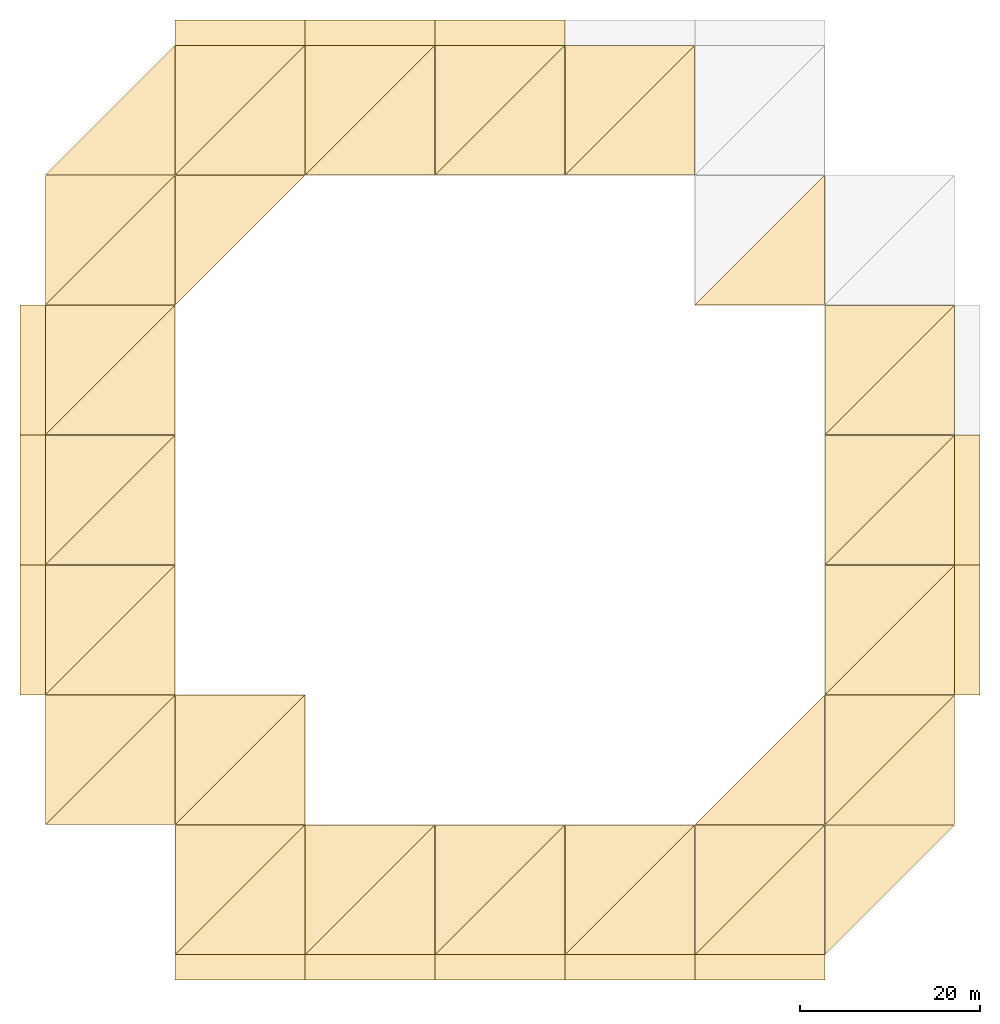
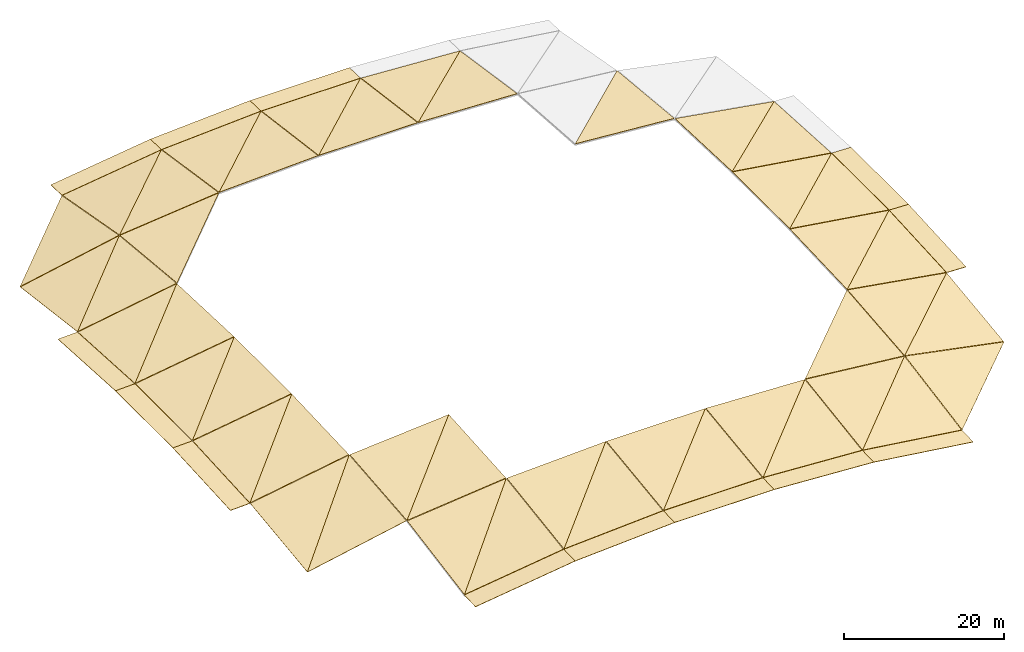
# One storey, part 2 of 3: 56 coverings.
"""IFC4 building model written with IfcOpenShell, lengths in metres."""

from ifc_helpers import new_model, si_unit, direction, frame, origin, place, context, subcontext, project, spatial, polyline, outline, extrude, material, layer, layer_set, type_object, element, save


model = new_model("IFC4")

# Units and contexts
model_context = context("Model", 3, precision=1e-05, world=origin(), true_north=direction((0.0, 1.0)))
body_context = subcontext(model_context, "Body", "Model", "MODEL_VIEW")
ifc_project = project(units=[si_unit("LENGTHUNIT", "METRE"), si_unit("AREAUNIT", "SQUARE_METRE"), si_unit("VOLUMEUNIT", "CUBIC_METRE"), si_unit("PLANEANGLEUNIT", "RADIAN"), si_unit("MASSUNIT", "GRAM", prefix="KILO")], contexts=[model_context])

# Site, building, storey
site_placement = place(None, origin())
site = spatial("IfcSite", under=ifc_project, at=site_placement, CompositionType="ELEMENT")
building_placement = place(site_placement, origin())
building = spatial("IfcBuilding", under=site, at=building_placement, Name="Qandorah Velis Arena", CompositionType="ELEMENT")
storey_placement = place(building_placement, frame((0.0, 0.0, 32.199951171875)))
storey = spatial("IfcBuildingStorey", under=building, at=storey_placement, Name="MAIN ROOF", CompositionType="ELEMENT", Elevation=32.199951171875)

# Coverings
ifc_material = material(Name="Insulated high-albedo standing-seam aluminium roofing", Category="aluminium")
ifc_layer = layer(ifc_material, 0.080078125)
ifc_layer_set = layer_set([ifc_layer], Name="Insulated high-albedo standing-seam aluminium roofing")
covering_type = type_object("IfcCoveringType", Name="ARC-COV-ROOF", PredefinedType="ROOFING", material=ifc_layer_set)
covering_1_placement = place(storey_placement, frame((28.800048828125, 115.199951171875, 0.701904296875), z_axis=(-0.133924374427, 0.035317644538, 0.990362017607), x_axis=(0.990980253134, 0.0, 0.134007976993)))
element("IfcCovering", 1, at=covering_1_placement, inside=storey, type_object=covering_type, Name="Overhanging arena eave roof panel N-2", PredefinedType="ROOFING", context=body_context, shape_type="SweptSolid", body=[
    extrude(outline(polyline([(0.0, 0.0), (14.530967996793724, 0.0), (14.517586829169181, 2.801796764367441), (-0.013381167624542743, 2.8017967643674413), (0.0, 0.0)])), origin(), (0.0, 0.0, -1.0), 0.06005859375),
])
covering_2_placement = place(storey_placement, frame((28.800048828125, 11.60009765625, 0.60205078125), z_axis=(-0.13392435986, -0.035320720365, 0.990361909884), x_axis=(0.990980253134, 0.0, 0.134007976993)))
element("IfcCovering", 2, at=covering_2_placement, inside=storey, type_object=covering_type, Name="Overhanging arena eave roof panel S-2", PredefinedType="ROOFING", context=body_context, shape_type="SweptSolid", body=[
    extrude(outline(polyline([(0.0, 0.0), (14.530967996793724, 1.3877787807814457e-17), (14.544349164418266, 2.801552776065918), (0.013381167624542743, 2.801552776065918), (0.0, 0.0)])), origin(), (0.0, 0.0, -1.0), 0.06005859375),
])
covering_3_placement = place(storey_placement, frame((11.60009765625, 43.199951171875, 2.198486328125), z_axis=(-0.035583906756, -0.05697223129, 0.99774142464), x_axis=(0.999364629289, 0.0, 0.035641797469)))
element("IfcCovering", 3, at=covering_3_placement, inside=storey, type_object=covering_type, Name="Overhanging arena eave roof panel W-3", PredefinedType="ROOFING", context=body_context, shape_type="SweptSolid", body=[
    extrude(outline(polyline([(0.0, 0.0), (2.801584732384449, 0.0), (2.8308917572567456, 14.423573781411022), (0.029307024872296753, 14.423573781411022), (0.0, 0.0)])), origin(), (0.0, 0.0, -1.0), 0.06005859375),
])
covering_4_placement = place(storey_placement, frame((43.199951171875, 115.199951171875, 2.649169921875), z_axis=(-0.059340606251, 0.035619326985, 0.997602103043), x_axis=(0.998235552308, -3.0069e-07, 0.059378296603)))
element("IfcCovering", 4, at=covering_4_placement, inside=storey, type_object=covering_type, Name="Overhanging arena eave roof panel N-3", PredefinedType="ROOFING", context=body_context, shape_type="SweptSolid", body=[
    extrude(outline(polyline([(0.0, 0.0), (14.425606939596113, 0.0), (14.419662469327292, 2.801831120734147), (-0.005929973614376666, 2.8018224399576086), (0.0, 0.0)])), origin(), (0.0, 0.0, -1.0), 0.06005859375),
])
covering_5_placement = place(storey_placement, frame((43.199951171875, 11.60009765625, 2.54931640625), z_axis=(-0.059340599686, -0.03562242902, 0.99760199267), x_axis=(0.998235553581, -3.00716e-07, 0.059378275204)))
element("IfcCovering", 5, at=covering_5_placement, inside=storey, type_object=covering_type, Name="Overhanging arena eave roof panel S-3", PredefinedType="ROOFING", context=body_context, shape_type="SweptSolid", body=[
    extrude(outline(polyline([(0.0, 0.0), (14.42559244294428, 6.938893903907228e-18), (14.431535227176981, 2.8015871390016587), (0.005928287583483228, 2.8015784574604), (0.0, 0.0)])), origin(), (0.0, 0.0, -1.0), 0.06005859375),
])
covering_6_placement = place(storey_placement, frame((115.199951171875, 43.199951171875, 2.29833984375), z_axis=(0.035580808068, -0.05697223758, 0.997741534789), x_axis=(0.999364739976, 0.0, -0.035638693753)))
element("IfcCovering", 6, at=covering_6_placement, inside=storey, type_object=covering_type, Name="Overhanging arena eave roof panel E-3", PredefinedType="ROOFING", context=body_context, shape_type="SweptSolid", body=[
    extrude(outline(polyline([(0.0, 0.0), (2.8018287179031587, 0.0), (2.772524245110373, 14.423573786596323), (-0.02930447279278539, 14.423573786596323), (0.0, 0.0)])), origin(), (0.0, 0.0, -1.0), 0.06005859375),
])
covering_7_placement = place(storey_placement, frame((11.60009765625, 57.60009765625, 3.020751953125), z_axis=(-0.035641797469, 0.0, 0.999364629289), x_axis=(0.999364629289, 0.0, 0.035641797469)))
element("IfcCovering", 7, at=covering_7_placement, inside=storey, type_object=covering_type, Name="Overhanging arena eave roof panel W-4", PredefinedType="ROOFING", context=body_context, shape_type="SweptSolid", body=[
    extrude(outline(polyline([(0.0, 0.0), (2.801584732384449, 0.0), (2.801584732384449, 14.399902343749998), (0.0, 14.399902343749998), (0.0, 0.0)])), origin(), (0.0, 0.0, -1.0), 0.06005859375),
])
covering_8_placement = place(storey_placement, frame((57.60009765625, 115.199951171875, 3.505859375), z_axis=(0.0, 0.035725718844, 0.99936163275), x_axis=(1.0, 0.0, 0.0)))
element("IfcCovering", 8, at=covering_8_placement, inside=storey, type_object=covering_type, Name="Overhanging arena eave roof panel N-4", PredefinedType="ROOFING", context=body_context, shape_type="SweptSolid", body=[
    extrude(outline(polyline([(0.0, 0.0), (14.39990234375, 0.0), (14.39990234375, 2.8018374293793222), (0.0, 2.8018374293793222), (0.0, 0.0)])), origin(), (0.0, 0.0, -1.0), 0.06005859375),
])
covering_9_placement = place(storey_placement, frame((57.60009765625, 11.60009765625, 3.40576171875), z_axis=(0.0, -0.035728830121, 0.999361521522), x_axis=(1.0, 0.0, 0.0)))
element("IfcCovering", 9, at=covering_9_placement, inside=storey, type_object=covering_type, Name="Overhanging arena eave roof panel S-4", PredefinedType="ROOFING", context=body_context, shape_type="SweptSolid", body=[
    extrude(outline(polyline([(0.0, 0.0), (14.39990234375, 0.0), (14.39990234375, 2.801593444619279), (0.0, 2.801593444619279), (0.0, 0.0)])), origin(), (0.0, 0.0, -1.0), 0.06005859375),
])
covering_10_placement = place(storey_placement, frame((115.199951171875, 57.60009765625, 3.12060546875), z_axis=(0.035638693753, 0.0, 0.999364739976), x_axis=(0.999364739976, 0.0, -0.035638693753)))
element("IfcCovering", 10, at=covering_10_placement, inside=storey, type_object=covering_type, Name="Overhanging arena eave roof panel E-4", PredefinedType="ROOFING", context=body_context, shape_type="SweptSolid", body=[
    extrude(outline(polyline([(0.0, 0.0), (2.8018287179031587, 0.0), (2.8018287179031587, 14.39990234375), (0.0, 14.39990234375), (0.0, 0.0)])), origin(), (0.0, 0.0, -1.0), 0.06005859375),
])
covering_11_placement = place(storey_placement, frame((11.60009765625, 72.0, 3.020751953125), z_axis=(-0.035583904798, 0.056973194081, 0.997741369732), x_axis=(0.999364629289, 0.0, 0.035641797469)))
element("IfcCovering", 11, at=covering_11_placement, inside=storey, type_object=covering_type, Name="Overhanging arena eave roof panel W-5", PredefinedType="ROOFING", context=body_context, shape_type="SweptSolid", body=[
    extrude(outline(polyline([(0.0, 0.0), (2.801584732384449, -8.673617379884035e-19), (2.7722777075121523, 14.423330037334875), (-0.029307024872296753, 14.423330037334875), (0.0, 0.0)])), origin(), (0.0, 0.0, -1.0), 0.06005859375),
])
covering_12_placement = place(storey_placement, frame((72.0, 11.60009765625, 3.40576171875), z_axis=(0.059341602223, -0.035622426893, 0.997601933112), x_axis=(0.998235493909, 3.00722e-07, -0.059379278373)))
element("IfcCovering", 12, at=covering_12_placement, inside=storey, type_object=covering_type, Name="Overhanging arena eave roof panel S-5", PredefinedType="ROOFING", context=body_context, shape_type="SweptSolid", body=[
    extrude(outline(polyline([(0.0, 0.0), (14.425348732977314, -6.938893903907228e-18), (14.419420345238, 2.8015784572484628), (-0.005942884633447189, 2.8015871387886846), (0.0, 0.0)])), origin(), (0.0, 0.0, -1.0), 0.06005859375),
])
covering_13_placement = place(storey_placement, frame((86.39990234375, 11.60009765625, 2.54931640625), z_axis=(0.133922130024, -0.035320731105, 0.990362211034), x_axis=(0.990980554849, 0.0, -0.134005745816)))
element("IfcCovering", 13, at=covering_13_placement, inside=storey, type_object=covering_type, Name="Overhanging arena eave roof panel S-6", PredefinedType="ROOFING", context=body_context, shape_type="SweptSolid", body=[
    extrude(outline(polyline([(0.0, 0.0), (14.531209935368917, 0.0), (14.517828990535225, 2.8015527771300337), (-0.013380944833691608, 2.8015527771300333), (0.0, 0.0)])), origin(), (0.0, 0.0, -1.0), 0.06005859375),
])
covering_14_placement = place(storey_placement, frame((14.43994140625, 28.840087890625, 0.475341796875), z_axis=(-0.193637762675, -0.094481389251, 0.97651302293), x_axis=(0.980900957795, 0.0, 0.194507868726)))
element("IfcCovering", 14, at=covering_14_placement, inside=storey, type_object=covering_type, Name="Arena vaulted roof covering 0.1A", PredefinedType="ROOFING", context=body_context, shape_type="SweptSolid", body=[
    extrude(outline(polyline([(0.0, 0.0), (14.598893237459329, 0.0), (14.868383509680866, 14.384169961696486), (0.0, 0.0)])), origin(), (0.0, 0.0, -1.0), 0.054931640625),
])
covering_15_placement = place(storey_placement, frame((14.43994140625, 28.840087890625, 0.475341796875), z_axis=(-0.163762366861, -0.124959356145, 0.978553548107), x_axis=(0.692208324, 0.692196522648, 0.204234204333)))
element("IfcCovering", 15, at=covering_15_placement, inside=storey, type_object=covering_type, Name="Arena vaulted roof covering 0.1B", PredefinedType="ROOFING", context=body_context, shape_type="SweptSolid", body=[
    extrude(outline(polyline([(0.0, 0.0), (20.68751250580701, -4.0245584642661925e-16), (10.285597907673411, 10.129544307120991), (0.0, 0.0)])), origin(), (0.0, 0.0, -1.0), 0.054931640625),
])
covering_16_placement = place(storey_placement, frame((14.43994140625, 43.239990234375, 2.31103515625), z_axis=(-0.164796950754, -0.03943499627, 0.985538860772), x_axis=(0.986306070785, 0.0, 0.16492523983)))
element("IfcCovering", 16, at=covering_16_placement, inside=storey, type_object=covering_type, Name="Arena vaulted roof covering 0.2A", PredefinedType="ROOFING", context=body_context, shape_type="SweptSolid", body=[
    extrude(outline(polyline([(0.0, 0.0), (14.518888997592056, -1.3877787807814457e-17), (14.613390837895311, 14.33121606776881), (0.0, 0.0)])), origin(), (0.0, 0.0, -1.0), 0.054931640625),
])
covering_17_placement = place(storey_placement, frame((14.43994140625, 43.239990234375, 2.31103515625), z_axis=(-0.148281945843, -0.056323236553, 0.987339940224), x_axis=(0.699635433874, 0.699635433874, 0.14498454861)))
element("IfcCovering", 17, at=covering_17_placement, inside=storey, type_object=covering_type, Name="Arena vaulted roof covering 0.2B", PredefinedType="ROOFING", context=body_context, shape_type="SweptSolid", body=[
    extrude(outline(polyline([(0.0, 0.0), (20.467900375030105, 5.273559366969494e-16), (10.137264324592904, 10.147292570222621), (0.0, 0.0)])), origin(), (0.0, 0.0, -1.0), 0.054931640625),
])
covering_18_placement = place(storey_placement, frame((14.43994140625, 57.639892578125, 3.130126953125), z_axis=(-0.148468240632, 0.0, 0.988917176271), x_axis=(0.988917176271, 0.0, 0.148468240632)))
element("IfcCovering", 18, at=covering_18_placement, inside=storey, type_object=covering_type, Name="Arena vaulted roof covering 0.3A", PredefinedType="ROOFING", context=body_context, shape_type="SweptSolid", body=[
    extrude(outline(polyline([(0.0, 0.0), (14.480553784466766, 0.0), (14.480553784466766, 14.320068359375), (0.0, 0.0)])), origin(), (0.0, 0.0, -1.0), 0.054931640625),
])
covering_19_placement = place(storey_placement, frame((14.43994140625, 57.639892578125, 3.130126953125), z_axis=(-0.148468240632, 0.0, 0.988917176271), x_axis=(0.703155660432, 0.703155660432, 0.105566256001)))
element("IfcCovering", 19, at=covering_19_placement, inside=storey, type_object=covering_type, Name="Arena vaulted roof covering 0.3B", PredefinedType="ROOFING", context=body_context, shape_type="SweptSolid", body=[
    extrude(outline(polyline([(0.0, 0.0), (20.365431390520744, -9.43689570931383e-16), (10.069237124661246, 10.182083359731283), (0.0, 0.0)])), origin(), (0.0, 0.0, -1.0), 0.054931640625),
])
covering_20_placement = place(storey_placement, frame((14.43994140625, 72.0400390625, 3.1279296875), z_axis=(-0.148401568535, 0.039538935333, 0.988136451635), x_axis=(0.988909748839, 0.0, 0.148517704842)))
element("IfcCovering", 20, at=covering_20_placement, inside=storey, type_object=covering_type, Name="Arena vaulted roof covering 0.4A", PredefinedType="ROOFING", context=body_context, shape_type="SweptSolid", body=[
    extrude(outline(polyline([(0.0, 0.0), (14.48066254396835, 0.0), (14.395562189167396, 14.331274978469583), (0.0, 0.0)])), origin(), (0.0, 0.0, -1.0), 0.054931640625),
])
covering_21_placement = place(storey_placement, frame((14.43994140625, 72.0400390625, 3.1279296875), z_axis=(-0.164664808814, 0.056175412958, 0.984748609401), x_axis=(0.70497089738, 0.70497089738, 0.07766638716)))
element("IfcCovering", 21, at=covering_21_placement, inside=storey, type_object=covering_type, Name="Arena vaulted roof covering 0.4B", PredefinedType="ROOFING", context=body_context, shape_type="SweptSolid", body=[
    extrude(outline(polyline([(0.0, 0.0), (20.312992227899226, 3.608224830031759e-16), (10.031786194918537, 10.251582328197005), (0.0, 0.0)])), origin(), (0.0, 0.0, -1.0), 0.054931640625),
])
covering_22_placement = place(storey_placement, frame((14.43994140625, 86.43994140625, 2.303955078125), z_axis=(-0.164309695922, 0.094993635326, 0.981824084586), x_axis=(0.986284180162, 0.0, 0.165056099437)))
element("IfcCovering", 22, at=covering_22_placement, inside=storey, type_object=covering_type, Name="Arena vaulted roof covering 0.5A", PredefinedType="ROOFING", context=body_context, shape_type="SweptSolid", body=[
    extrude(outline(polyline([(0.0, 0.0), (14.5192112449951, 0.0), (14.2905263416004, 14.385119598739065), (0.0, 0.0)])), origin(), (0.0, 0.0, -1.0), 0.054931640625),
])
covering_23_placement = place(storey_placement, frame((14.43994140625, 86.43994140625, 2.303955078125), z_axis=(-0.192999744545, 0.12428579543, 0.973295504798), x_axis=(0.706227324245, 0.706227324245, 0.049859131356)))
element("IfcCovering", 23, at=covering_23_placement, inside=storey, type_object=covering_type, Name="Arena vaulted roof covering 0.5B", PredefinedType="ROOFING", context=body_context, shape_type="SweptSolid", body=[
    extrude(outline(polyline([(0.0, 0.0), (20.276854021026082, 1.1102230246251565e-16), (10.022050490656833, 10.390702012485105), (0.0, 0.0)])), origin(), (0.0, 0.0, -1.0), 0.054931640625),
])
covering_24_placement = place(storey_placement, frame((14.43994140625, 100.840087890625, 0.4619140625), z_axis=(-0.191684093606, 0.175355328436, 0.965664391519), x_axis=(0.980862652198, 0.0, 0.194700943816)))
element("IfcCovering", 24, at=covering_24_placement, inside=storey, type_object=covering_type, Name="Arena vaulted roof covering 0.6A", PredefinedType="ROOFING", context=body_context, shape_type="SweptSolid", body=[
    extrude(outline(polyline([(0.0, 0.0), (14.599463367561347, 0.0), (14.093174365464932, 14.545199021080128), (0.0, 0.0)])), origin(), (0.0, 0.0, -1.0), 0.054931640625),
])
covering_25_placement = place(storey_placement, frame((28.840087890625, 14.43994140625, 0.71875), z_axis=(-0.132441226039, -0.14709499015, 0.980215479126), x_axis=(0.990995157258, 0.0, 0.133897715778)))
element("IfcCovering", 25, at=covering_25_placement, inside=storey, type_object=covering_type, Name="Arena vaulted roof covering 1.0A", PredefinedType="ROOFING", context=body_context, shape_type="SweptSolid", body=[
    extrude(outline(polyline([(0.0, 0.0), (14.449943689299293, 0.0), (14.737679942786176, 14.477549781607495), (0.0, 0.0)])), origin(), (0.0, 0.0, -1.0), 0.054931640625),
])
covering_26_placement = place(storey_placement, frame((28.840087890625, 14.43994140625, 0.71875), z_axis=(-0.101617064391, -0.17753061277, 0.978854868586), x_axis=(0.693148303133, 0.693160120712, 0.197672650911)))
element("IfcCovering", 26, at=covering_26_placement, inside=storey, type_object=covering_type, Name="Arena vaulted roof covering 1.0B", PredefinedType="ROOFING", context=body_context, shape_type="SweptSolid", body=[
    extrude(outline(polyline([(0.0, 0.0), (20.659105928740605, 1.2490009027033011e-15), (10.439489389836087, 10.140350119920601), (0.0, 0.0)])), origin(), (0.0, 0.0, -1.0), 0.054931640625),
])
covering_27_placement = place(storey_placement, frame((28.840087890625, 28.840087890625, 3.32666015625), z_axis=(-0.102846360474, -0.070960605623, 0.992162899219), x_axis=(0.994670344988, 0.0, 0.103106279155)))
element("IfcCovering", 27, at=covering_27_placement, inside=storey, type_object=covering_type, Name="Arena vaulted roof covering 1.1A", PredefinedType="ROOFING", context=body_context, shape_type="SweptSolid", body=[
    extrude(outline(polyline([(0.0, 0.0), (14.396552878954187, -1.3877787807814457e-17), (14.502151228820676, 14.356014024557025), (0.0, 0.0)])), origin(), (0.0, 0.0, -1.0), 0.054931640625),
])
covering_28_placement = place(storey_placement, frame((28.840087890625, 28.840087890625, 3.32666015625), z_axis=(-0.077994161926, -0.09584315126, 0.992336133103), x_axis=(0.701743502647, 0.701743502647, 0.122931334431)))
element("IfcCovering", 28, at=covering_28_placement, inside=storey, type_object=covering_type, Name="Arena vaulted roof covering 1.1B", PredefinedType="ROOFING", context=body_context, shape_type="SweptSolid", body=[
    extrude(outline(polyline([(0.0, 0.0), (20.406065983840758, 1.214306433183765e-15), (10.218864602982931, 10.126451380072808), (0.0, 0.0)])), origin(), (0.0, 0.0, -1.0), 0.054931640625),
])
covering_29_placement = place(storey_placement, frame((28.840087890625, 86.43994140625, 4.709716796875), z_axis=(-0.102633770445, 0.095626710037, 0.990112034818), x_axis=(0.707091904178, 0.707103959484, 0.005002951891)))
element("IfcCovering", 29, at=covering_29_placement, inside=storey, type_object=covering_type, Name="Arena vaulted roof covering 1.5B", PredefinedType="ROOFING", context=body_context, shape_type="SweptSolid", body=[
    extrude(outline(polyline([(0.0, 0.0), (20.251715702207026, -3.0184188481996443e-16), (10.118857671159665, 10.226725913955214), (0.0, 0.0)])), origin(), (0.0, 0.0, -1.0), 0.054931640625),
])
covering_30_placement = place(storey_placement, frame((28.840087890625, 100.840087890625, 3.31591796875), z_axis=(-0.10212587049, 0.147628824447, 0.983756086014), x_axis=(0.994654681107, 0.0, 0.103257277479)))
element("IfcCovering", 30, at=covering_30_placement, inside=storey, type_object=covering_type, Name="Arena vaulted roof covering 1.6A", PredefinedType="ROOFING", context=body_context, shape_type="SweptSolid", body=[
    extrude(outline(polyline([(0.0, 0.0), (14.396779596730115, -2.7755575615628914e-17), (14.174887371053591, 14.478467167121122), (0.0, 0.0)])), origin(), (0.0, 0.0, -1.0), 0.054931640625),
])
covering_31_placement = place(storey_placement, frame((28.840087890625, 100.840087890625, 3.31591796875), z_axis=(-0.131785971901, 0.176900841525, 0.975365854373), x_axis=(0.706728877555, 0.706728877555, -0.032689252989)))
element("IfcCovering", 31, at=covering_31_placement, inside=storey, type_object=covering_type, Name="Arena vaulted roof covering 1.6B", PredefinedType="ROOFING", context=body_context, shape_type="SweptSolid", body=[
    extrude(outline(polyline([(0.0, 0.0), (20.262118435431645, 4.440892098500626e-16), (10.205132777680571, 10.375833079984936), (0.0, 0.0)])), origin(), (0.0, 0.0, -1.0), 0.054931640625),
])
covering_32_placement = place(storey_placement, frame((43.239990234375, 14.43994140625, 2.6611328125), z_axis=(-0.058798765854, -0.131095096322, 0.989624565608), x_axis=(0.998239575121, 0.0, 0.059310628579)))
element("IfcCovering", 32, at=covering_32_placement, inside=storey, type_object=covering_type, Name="Arena vaulted roof covering 2.0A", PredefinedType="ROOFING", context=body_context, shape_type="SweptSolid", body=[
    extrude(outline(polyline([(0.0, 0.0), (14.34532222151232, 0.0), (14.457832862151527, 14.444729295887694), (0.0, 0.0)])), origin(), (0.0, 0.0, -1.0), 0.054931640625),
])
covering_33_placement = place(storey_placement, frame((43.239990234375, 14.43994140625, 2.6611328125), z_axis=(-0.041457774904, -0.148142898214, 0.988096622102), x_axis=(0.700686419975, 0.700686419975, 0.134451038391)))
element("IfcCovering", 33, at=covering_33_placement, inside=storey, type_object=covering_type, Name="Arena vaulted roof covering 2.0B", PredefinedType="ROOFING", context=body_context, shape_type="SweptSolid", body=[
    extrude(outline(polyline([(0.0, 0.0), (20.437199795994186, 1.1934897514720433e-15), (10.322540135561788, 10.154753298508748), (0.0, 0.0)])), origin(), (0.0, 0.0, -1.0), 0.054931640625),
])
covering_34_placement = place(storey_placement, frame((43.239990234375, 100.840087890625, 4.80810546875), z_axis=(-0.041557901239, 0.131211051555, 0.990483013885), x_axis=(0.999120956809, 0.0, 0.041920325202)))
element("IfcCovering", 34, at=covering_34_placement, inside=storey, type_object=covering_type, Name="Arena vaulted roof covering 2.6A", PredefinedType="ROOFING", context=body_context, shape_type="SweptSolid", body=[
    extrude(outline(polyline([(0.0, 0.0), (14.332667393055374, -1.3877787807814457e-17), (14.253145682406599, 14.444706546413284), (0.0, 0.0)])), origin(), (0.0, 0.0, -1.0), 0.054931640625),
])
covering_35_placement = place(storey_placement, frame((43.239990234375, 100.840087890625, 4.80810546875), z_axis=(-0.058657306293, 0.14801754549, 0.98724370175), x_axis=(0.705668966677, 0.705656935837, -0.063871733767)))
element("IfcCovering", 35, at=covering_35_placement, inside=storey, type_object=covering_type, Name="Arena vaulted roof covering 2.6B", PredefinedType="ROOFING", context=body_context, shape_type="SweptSolid", body=[
    extrude(outline(polyline([(0.0, 0.0), (20.29289799550327, 1.7208456881689926e-15), (10.242014145825323, 10.235624234959893), (0.0, 0.0)])), origin(), (0.0, 0.0, -1.0), 0.054931640625),
])
covering_36_placement = place(storey_placement, frame((57.639892578125, 14.43994140625, 3.51416015625), z_axis=(0.0, -0.131289083159, 0.991344126246), x_axis=(1.0, 0.0, 0.0)))
element("IfcCovering", 36, at=covering_36_placement, inside=storey, type_object=covering_type, Name="Arena vaulted roof covering 3.0A", PredefinedType="ROOFING", context=body_context, shape_type="SweptSolid", body=[
    extrude(outline(polyline([(0.0, 0.0), (14.320068359375, 0.0), (14.320068359375, 14.445103350332671), (0.0, 0.0)])), origin(), (0.0, 0.0, -1.0), 0.054931640625),
])
covering_37_placement = place(storey_placement, frame((57.639892578125, 14.43994140625, 3.51416015625), z_axis=(0.0, -0.131289083159, 0.991344126246), x_axis=(0.704026514269, 0.704026514269, 0.093238052388)))
element("IfcCovering", 37, at=covering_37_placement, inside=storey, type_object=covering_type, Name="Arena vaulted roof covering 3.0B", PredefinedType="ROOFING", context=body_context, shape_type="SweptSolid", body=[
    extrude(outline(polyline([(0.0, 0.0), (20.340240131792083, 8.604228440844963e-16), (10.258532320651026, 10.169735759986612), (0.0, 0.0)])), origin(), (0.0, 0.0, -1.0), 0.054931640625),
])
covering_38_placement = place(storey_placement, frame((57.639892578125, 100.840087890625, 5.41064453125), z_axis=(0.0, 0.131291282941, 0.991343834915), x_axis=(1.0, 0.0, 0.0)))
element("IfcCovering", 38, at=covering_38_placement, inside=storey, type_object=covering_type, Name="Arena vaulted roof covering 3.6A", PredefinedType="ROOFING", context=body_context, shape_type="SweptSolid", body=[
    extrude(outline(polyline([(0.0, 0.0), (14.320068359375, 0.0), (14.320068359375, 14.44486132299366), (0.0, 0.0)])), origin(), (0.0, 0.0, -1.0), 0.054931640625),
])
covering_39_placement = place(storey_placement, frame((57.639892578125, 100.840087890625, 5.41064453125), z_axis=(0.0, 0.131291282941, 0.991343834915), x_axis=(0.704032463541, 0.7040204606, -0.093238840283)))
element("IfcCovering", 39, at=covering_39_placement, inside=storey, type_object=covering_type, Name="Arena vaulted roof covering 3.6B", PredefinedType="ROOFING", context=body_context, shape_type="SweptSolid", body=[
    extrude(outline(polyline([(0.0, 0.0), (20.34006825105784, 9.43689570931383e-16), (10.258275245938105, 10.169651302728711), (0.0, 0.0)])), origin(), (0.0, 0.0, -1.0), 0.054931640625),
])
covering_40_placement = place(storey_placement, frame((72.0400390625, 14.43994140625, 3.511962890625), z_axis=(0.058657328203, -0.148015077249, 0.987244070509), x_axis=(0.998239575121, 0.0, -0.059310628579)))
element("IfcCovering", 40, at=covering_40_placement, inside=storey, type_object=covering_type, Name="Arena vaulted roof covering 4.0A", PredefinedType="ROOFING", context=body_context, shape_type="SweptSolid", body=[
    extrude(outline(polyline([(0.0, 0.0), (14.34532222151232, 2.7755575615628914e-17), (14.217983923728386, 14.479559190865434), (0.0, 0.0)])), origin(), (0.0, 0.0, -1.0), 0.054931640625),
])
covering_41_placement = place(storey_placement, frame((72.0400390625, 14.43994140625, 3.511962890625), z_axis=(0.041557913437, -0.13120885307, 0.990483304608), x_axis=(0.705662975823, 0.705662975823, 0.063871191521)))
element("IfcCovering", 41, at=covering_41_placement, inside=storey, type_object=covering_type, Name="Arena vaulted roof covering 4.0B", PredefinedType="ROOFING", context=body_context, shape_type="SweptSolid", body=[
    extrude(outline(polyline([(0.0, 0.0), (20.293070275765928, 9.71445146547012e-16), (10.22630395629697, 10.20223360196963), (0.0, 0.0)])), origin(), (0.0, 0.0, -1.0), 0.054931640625),
])
covering_42_placement = place(storey_placement, frame((72.0400390625, 100.840087890625, 5.408935546875), z_axis=(0.041457759392, 0.148145368491, 0.988096252387), x_axis=(0.999120956809, 0.0, -0.041920325202)))
element("IfcCovering", 42, at=covering_42_placement, inside=storey, type_object=covering_type, Name="Arena vaulted roof covering 4.6A", PredefinedType="ROOFING", context=body_context, shape_type="SweptSolid", body=[
    extrude(outline(polyline([(0.0, 0.0), (14.332667393055374, 0.0), (14.42266918500458, 14.479597954364278), (0.0, 0.0)])), origin(), (0.0, 0.0, -1.0), 0.054931640625),
])
covering_43_placement = place(storey_placement, frame((72.0400390625, 100.840087890625, 5.408935546875), z_axis=(0.058798748625, 0.131097292968, 0.98962427564), x_axis=(0.700692284973, 0.700680338978, -0.134452163794)))
element("IfcCovering", 43, at=covering_43_placement, inside=storey, type_object=covering_type, Name="Arena vaulted roof covering 4.6B", PredefinedType="ROOFING", context=body_context, shape_type="SweptSolid", body=[
    extrude(outline(polyline([(0.0, 0.0), (20.437028730715987, 9.43689570931383e-16), (10.288671365997088, 10.13898971480743), (0.0, 0.0)])), origin(), (0.0, 0.0, -1.0), 0.054931640625),
])
covering_44_placement = place(storey_placement, frame((86.43994140625, 14.43994140625, 2.653564453125), z_axis=(0.131783834433, -0.176897972327, 0.975366663552), x_axis=(0.990995460165, 0.0, -0.133895473903)))
element("IfcCovering", 44, at=covering_44_placement, inside=storey, type_object=covering_type, Name="Arena vaulted roof covering 5.0A", PredefinedType="ROOFING", context=body_context, shape_type="SweptSolid", body=[
    extrude(outline(polyline([(0.0, 0.0), (14.450185631513333, 0.0), (14.102436595530566, 14.549526105102087), (0.0, 0.0)])), origin(), (0.0, 0.0, -1.0), 0.054931640625),
])
covering_45_placement = place(storey_placement, frame((86.43994140625, 14.43994140625, 2.653564453125), z_axis=(0.102124185467, -0.147626388648, 0.983756626467), x_axis=(0.70672889043, 0.70672889043, 0.03268869627)))
element("IfcCovering", 45, at=covering_45_placement, inside=storey, type_object=covering_type, Name="Arena vaulted roof covering 5.0B", PredefinedType="ROOFING", context=body_context, shape_type="SweptSolid", body=[
    extrude(outline(polyline([(0.0, 0.0), (20.26246351789453, -4.0245584642661925e-16), (10.190651604670094, 10.287509888341724), (0.0, 0.0)])), origin(), (0.0, 0.0, -1.0), 0.054931640625),
])
covering_46_placement = place(storey_placement, frame((86.43994140625, 28.840087890625, 4.81103515625), z_axis=(0.102632023088, -0.095628342655, 0.990112058263), x_axis=(0.994670525265, 0.0, -0.103104539999)))
element("IfcCovering", 46, at=covering_46_placement, inside=storey, type_object=covering_type, Name="Arena vaulted roof covering 5.1A", PredefinedType="ROOFING", context=body_context, shape_type="SweptSolid", body=[
    extrude(outline(polyline([(0.0, 0.0), (14.396795718415888, 2.7755575615628914e-17), (14.254196299692342, 14.385752560532092), (0.0, 0.0)])), origin(), (0.0, 0.0, -1.0), 0.054931640625),
])
covering_47_placement = place(storey_placement, frame((86.43994140625, 86.43994140625, 5.835205078125), z_axis=(0.077992852518, 0.095841542195, 0.992336391425), x_axis=(0.996925635139, 0.0, -0.078353544932)))
element("IfcCovering", 47, at=covering_47_placement, inside=storey, type_object=covering_type, Name="Arena vaulted roof covering 5.5A", PredefinedType="ROOFING", context=body_context, shape_type="SweptSolid", body=[
    extrude(outline(polyline([(0.0, 0.0), (14.364229241014087, 0.0), (14.47259663164886, 14.386294171780202), (0.0, 0.0)])), origin(), (0.0, 0.0, -1.0), 0.054931640625),
])
covering_48_placement = place(storey_placement, frame((100.840087890625, 14.43994140625, 0.7041015625), z_axis=(0.191687342064, -0.175352320909, 0.965664292829), x_axis=(0.707050194791, 0.707062249385, -0.011958157896)))
element("IfcCovering", 48, at=covering_48_placement, inside=storey, type_object=covering_type, Name="Arena vaulted roof covering 6.0B", PredefinedType="ROOFING", context=body_context, shape_type="SweptSolid", body=[
    extrude(outline(polyline([(0.0, 0.0), (20.25291036513588, 4.85722573273506e-16), (10.094084447742569, 10.485017617514513), (0.0, 0.0)])), origin(), (0.0, 0.0, -1.0), 0.054931640625),
])
covering_49_placement = place(storey_placement, frame((100.840087890625, 28.840087890625, 3.31494140625), z_axis=(0.193002861625, -0.124287802732, 0.973294630365), x_axis=(0.980900325085, 0.0, -0.194511059451)))
element("IfcCovering", 49, at=covering_49_placement, inside=storey, type_object=covering_type, Name="Arena vaulted roof covering 6.1A", PredefinedType="ROOFING", context=body_context, shape_type="SweptSolid", body=[
    extrude(outline(polyline([(0.0, 0.0), (14.598653759763662, 0.0), (14.242968253100925, 14.431724775944593), (0.0, 0.0)])), origin(), (0.0, 0.0, -1.0), 0.054931640625),
])
covering_50_placement = place(storey_placement, frame((100.840087890625, 28.840087890625, 3.31494140625), z_axis=(0.164312396349, -0.094995196545, 0.981823481609), x_axis=(0.706227294313, 0.706227294313, -0.049859979298)))
element("IfcCovering", 50, at=covering_50_placement, inside=storey, type_object=covering_type, Name="Arena vaulted roof covering 6.1B", PredefinedType="ROOFING", context=body_context, shape_type="SweptSolid", body=[
    extrude(outline(polyline([(0.0, 0.0), (20.276509183472726, 9.159339953157541e-16), (10.043969809106194, 10.300273829736607), (0.0, 0.0)])), origin(), (0.0, 0.0, -1.0), 0.054931640625),
])
covering_51_placement = place(storey_placement, frame((100.840087890625, 43.239990234375, 4.70556640625), z_axis=(0.164667540084, -0.056175386989, 0.984748154169), x_axis=(0.986305613389, 0.0, -0.164927975179)))
element("IfcCovering", 51, at=covering_51_placement, inside=storey, type_object=covering_type, Name="Arena vaulted roof covering 6.2A", PredefinedType="ROOFING", context=body_context, shape_type="SweptSolid", body=[
    extrude(outline(polyline([(0.0, 0.0), (14.518648200267325, 0.0), (14.38391943929382, 14.342716711046263), (0.0, 0.0)])), origin(), (0.0, 0.0, -1.0), 0.054931640625),
])
covering_52_placement = place(storey_placement, frame((100.840087890625, 43.239990234375, 4.70556640625), z_axis=(0.148404042932, -0.039538920488, 0.988136080612), x_axis=(0.704964851584, 0.704976870625, -0.07766704523)))
element("IfcCovering", 52, at=covering_52_placement, inside=storey, type_object=covering_type, Name="Arena vaulted roof covering 6.2B", PredefinedType="ROOFING", context=body_context, shape_type="SweptSolid", body=[
    extrude(outline(polyline([(0.0, 0.0), (20.312820116601742, 1.1102230246251565e-15), (10.050813913907994, 10.216350828299165), (0.0, 0.0)])), origin(), (0.0, 0.0, -1.0), 0.054931640625),
])
covering_53_placement = place(storey_placement, frame((100.840087890625, 57.639892578125, 5.280029296875), z_axis=(0.148470716089, 0.0, 0.988916804622), x_axis=(0.988916804622, 0.0, -0.148470716089)))
element("IfcCovering", 53, at=covering_53_placement, inside=storey, type_object=covering_type, Name="Arena vaulted roof covering 6.3A", PredefinedType="ROOFING", context=body_context, shape_type="SweptSolid", body=[
    extrude(outline(polyline([(0.0, 0.0), (14.480312349654644, 0.0), (14.480312349654644, 14.320068359375), (0.0, 0.0)])), origin(), (0.0, 0.0, -1.0), 0.054931640625),
])
covering_54_placement = place(storey_placement, frame((100.840087890625, 57.639892578125, 5.280029296875), z_axis=(0.148470716089, 0.0, 0.988916804622), x_axis=(0.703149599561, 0.703161587653, -0.105567145868)))
element("IfcCovering", 54, at=covering_54_placement, inside=storey, type_object=covering_type, Name="Arena vaulted roof covering 6.3B", PredefinedType="ROOFING", context=body_context, shape_type="SweptSolid", body=[
    extrude(outline(polyline([(0.0, 0.0), (20.365259722398186, 1.4155343563970746e-15), (10.0693220028831, 10.181999421500048), (0.0, 0.0)])), origin(), (0.0, 0.0, -1.0), 0.054931640625),
])
covering_55_placement = place(storey_placement, frame((100.840087890625, 72.0400390625, 5.278564453125), z_axis=(0.148284418335, 0.056323215439, 0.987339570098), x_axis=(0.988909376945, 0.0, -0.148520181088)))
element("IfcCovering", 55, at=covering_55_placement, inside=storey, type_object=covering_type, Name="Arena vaulted roof covering 6.4A", PredefinedType="ROOFING", context=body_context, shape_type="SweptSolid", body=[
    extrude(outline(polyline([(0.0, 0.0), (14.480421110969598, -1.3877787807814457e-17), (14.601746434680267, 14.342836353322367), (0.0, 0.0)])), origin(), (0.0, 0.0, -1.0), 0.054931640625),
])
covering_56_placement = place(storey_placement, frame((100.840087890625, 72.0400390625, 5.278564453125), z_axis=(0.164799684093, 0.039434978011, 0.985538404443), x_axis=(0.699629344444, 0.699641272519, -0.144985758545)))
element("IfcCovering", 56, at=covering_56_placement, inside=storey, type_object=covering_type, Name="Arena vaulted roof covering 6.4B", PredefinedType="ROOFING", context=body_context, shape_type="SweptSolid", body=[
    extrude(outline(polyline([(0.0, 0.0), (20.46772956634134, 9.43689570931383e-16), (10.10198740598694, 10.165753047766648), (0.0, 0.0)])), origin(), (0.0, 0.0, -1.0), 0.054931640625),
])

save(model, "model.ifc")
